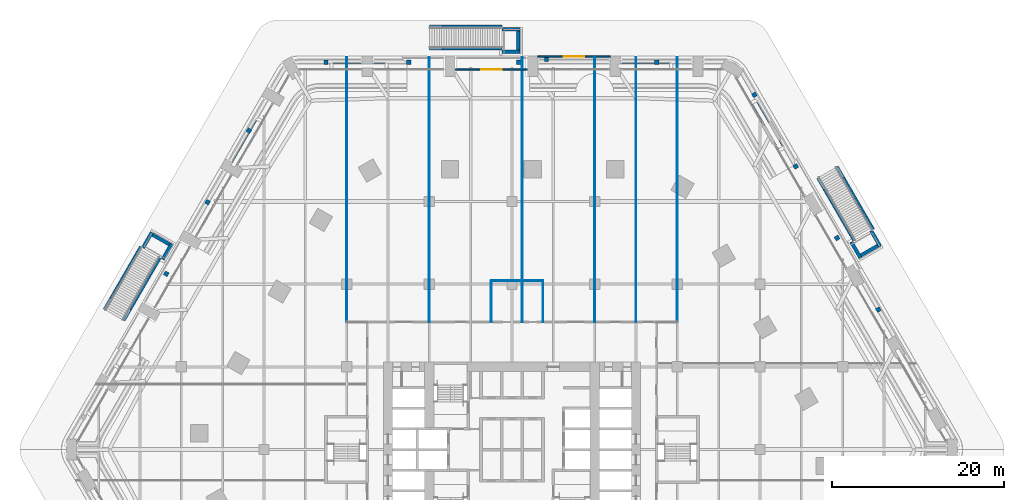
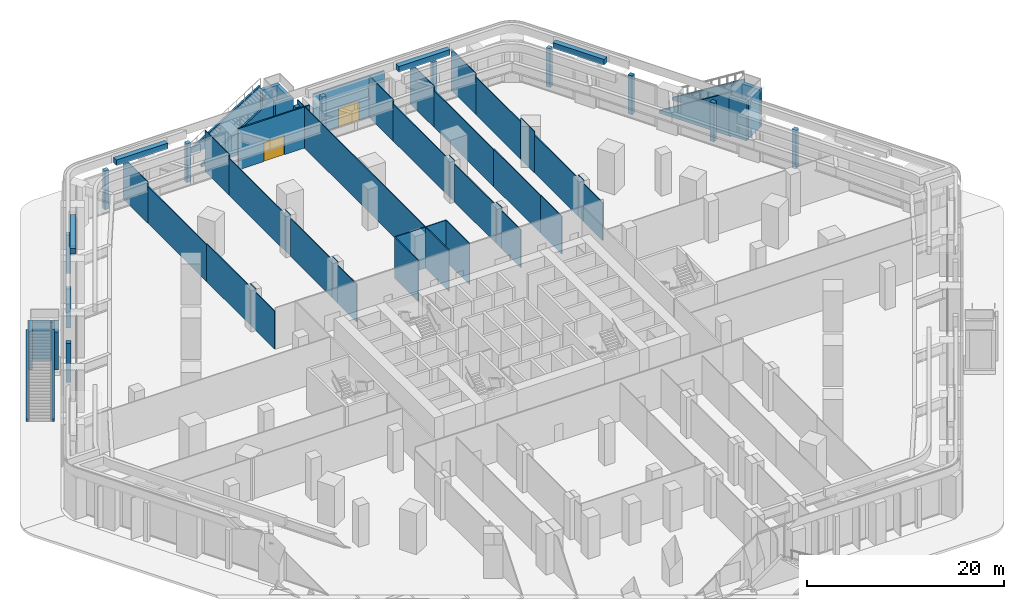
# One storey, part 23 of 34: 64 walls, 2 doors, 2 openings.
"""IFC4 building model written with IfcOpenShell, lengths in metres."""

from ifc_helpers import new_model, si_unit, direction, frame, frame_2d, origin, place, context, subcontext, project, spatial, polyline, rectangle, outline, extrude, material, layer, layer_set, type_object, element, fill, save


model = new_model("IFC4")

# Units and contexts
model_context = context("Model", 3, precision=1e-05, world=origin(), true_north=direction((0.0, 1.0)))
body_context = subcontext(model_context, "Body", "Model", "MODEL_VIEW")
ifc_project = project(units=[si_unit("LENGTHUNIT", "METRE"), si_unit("AREAUNIT", "SQUARE_METRE"), si_unit("VOLUMEUNIT", "CUBIC_METRE"), si_unit("PLANEANGLEUNIT", "RADIAN"), si_unit("MASSUNIT", "GRAM", prefix="KILO")], contexts=[model_context])

# Site, building, storey
site_placement = place(None, origin())
site = spatial("IfcSite", under=ifc_project, at=site_placement, CompositionType="ELEMENT")
building_placement = place(site_placement, origin())
building = spatial("IfcBuilding", under=site, at=building_placement, Name="Kolab Exchange Tower", CompositionType="ELEMENT")
storey_placement = place(building_placement, frame((0.0, 0.0, 7.0)))
storey = spatial("IfcBuildingStorey", under=building, at=storey_placement, Name="L01", CompositionType="ELEMENT", Elevation=7.0)

# Wall, opening, door
ifc_material_1 = material(Name="Aluminium EN AW-6063 T6", Category="aluminium")
ifc_layer_1 = layer(ifc_material_1, 0.159912109375)
ifc_layer_set_1 = layer_set([ifc_layer_1], Name="Aluminium EN AW-6063 T6")
wall_type_1 = type_object("IfcWallType", Name="DOOR SURROUND WALL 160 ALUMINIUM FRAMED", PredefinedType="PARTITIONING", material=ifc_layer_set_1)
wall_1_placement = place(storey_placement, frame((-6.597900390625, 44.146240234375, 0.0), z_axis=(0.0, 0.0, 1.0), x_axis=(1.0, 0.0, 0.0)))
wall_1 = element("IfcWall", 1, at=wall_1_placement, inside=storey, type_object=wall_type_1, Name="Door surround wall", PredefinedType="PARTITIONING", context=body_context, shape_type="SweptSolid", body=[
    extrude(rectangle(XDim=8.39599609375, YDim=0.159912109375, at=frame_2d((4.197998046875, 0.0))), origin(), (0.0, 0.0, 1.0), 5.10009765625),
])
opening_1_placement = place(wall_1_placement, frame((2.998046875, 0.0, 0.0)))
opening_1 = element("IfcOpeningElement", 2, at=opening_1_placement, cuts=wall_1, Name="Opening GD1-001", PredefinedType="OPENING", context=body_context, shape_type="SweptSolid", body=[
    extrude(rectangle(XDim=2.39990234375, YDim=2.39990234375, at=frame_2d((1.199951171875, 1.199951171875))), frame((0.0, 0.08984375, 0.0), z_axis=(0.0, -1.0, 0.0), x_axis=(1.0, 0.0, 0.0)), (0.0, 0.0, 1.0), 0.179931640625),
])
door_type = type_object("IfcDoorType", Name="LOGGIA SLIDING GLASS DOOR 2400 X 2400", OperationType="DOUBLE_DOOR_SINGLE_SWING", PredefinedType="DOOR", material=ifc_material_1)
door_1_placement = place(opening_1_placement, origin())
door_1 = element("IfcDoor", 3, at=door_1_placement, inside=storey, type_object=door_type, Name="Loggia door", OperationType="DOUBLE_DOOR_SLIDING", OverallHeight=2.39990234375, OverallWidth=2.39990234375, PredefinedType="DOOR", context=body_context, shape_type="SweptSolid", body=[
    extrude(rectangle(XDim=2.39990234375, YDim=2.39990234375, at=frame_2d((1.199951171875, 1.199951171875))), frame((0.0, 0.02490234375, 0.0), z_axis=(0.0, -1.0, 0.0), x_axis=(1.0, 0.0, 0.0)), (0.0, 0.0, 1.0), 0.050048828125),
])
fill(opening_1, door_1)

wall_2_placement = place(storey_placement, frame((3.00390625, 45.626220703125, 0.0), z_axis=(0.0, 0.0, 1.0), x_axis=(1.0, 0.0, 0.0)))
wall_2 = element("IfcWall", 4, at=wall_2_placement, inside=storey, type_object=wall_type_1, Name="Door surround wall", PredefinedType="PARTITIONING", context=body_context, shape_type="SweptSolid", body=[
    extrude(rectangle(XDim=8.39208984375, YDim=0.159912109375, at=frame_2d((4.196044921875, 0.0))), origin(), (0.0, 0.0, 1.0), 5.10009765625),
])
opening_2_placement = place(wall_2_placement, frame((2.99609375, 0.0, 0.0)))
opening_2 = element("IfcOpeningElement", 5, at=opening_2_placement, cuts=wall_2, Name="Opening GD1-003", PredefinedType="OPENING", context=body_context, shape_type="SweptSolid", body=[
    extrude(rectangle(XDim=2.39990234375, YDim=2.39990234375, at=frame_2d((1.199951171875, 1.199951171875))), frame((0.0, 0.08984375, 0.0), z_axis=(0.0, -1.0, 0.0), x_axis=(1.0, 0.0, 0.0)), (0.0, 0.0, 1.0), 0.179931640625),
])
door_2_placement = place(opening_2_placement, origin())
door_2 = element("IfcDoor", 6, at=door_2_placement, inside=storey, type_object=door_type, Name="Terrace door", OperationType="DOUBLE_DOOR_SLIDING", OverallHeight=2.39990234375, OverallWidth=2.39990234375, PredefinedType="DOOR", context=body_context, shape_type="SweptSolid", body=[
    extrude(rectangle(XDim=2.39990234375, YDim=2.39990234375, at=frame_2d((1.199951171875, 1.199951171875))), frame((0.0, 0.02490234375, 0.0), z_axis=(0.0, -1.0, 0.0), x_axis=(1.0, 0.0, 0.0)), (0.0, 0.0, 1.0), 0.050048828125),
])
fill(opening_2, door_2)

# Walls
ifc_material_2 = material(Name="Gypsum board", Category="gypsum")
ifc_layer_2 = layer(ifc_material_2, 0.10009765625)
ifc_layer_set_2 = layer_set([ifc_layer_2], Name="Gypsum board")
wall_type_2 = type_object("IfcWallType", Name="PARTITION 100", PredefinedType="PARTITIONING", material=ifc_layer_set_2)
wall_3_placement = place(storey_placement, frame((19.199951171875, 31.408447265625, 0.0), z_axis=(0.0, 0.0, 1.0), x_axis=(0.0, 1.0, 0.0)))
element("IfcWall", 7, at=wall_3_placement, inside=storey, type_object=wall_type_2, Name="Partition 001", PredefinedType="PARTITIONING", context=body_context, shape_type="SweptSolid", body=[
    extrude(rectangle(XDim=9.08984375, YDim=0.10009765625, at=frame_2d((4.544921875, 0.0))), origin(), (0.0, 0.0, 1.0), 4.64306640625),
])
wall_4_placement = place(storey_placement, frame((19.199951171875, 14.800048828125, 0.0), z_axis=(0.0, 0.0, 1.0), x_axis=(0.0, 1.0, 0.0)))
element("IfcWall", 8, at=wall_4_placement, inside=storey, type_object=wall_type_2, Name="Partition 001", PredefinedType="PARTITIONING", context=body_context, shape_type="SweptSolid", body=[
    extrude(rectangle(XDim=3.83984375, YDim=0.10009765625, at=frame_2d((1.919921875, 0.0))), origin(), (0.0, 0.0, 1.0), 4.693115234375),
])
wall_5_placement = place(storey_placement, frame((19.199951171875, 18.639892578125, 0.0), z_axis=(0.0, 0.0, 1.0), x_axis=(0.0, 1.0, 0.0)))
element("IfcWall", 9, at=wall_5_placement, inside=storey, type_object=wall_type_2, Name="Partition 001", PredefinedType="PARTITIONING", context=body_context, shape_type="SweptSolid", body=[
    extrude(rectangle(XDim=1.1201171875, YDim=0.10009765625, at=frame_2d((0.56005859375, 0.0))), origin(), (0.0, 0.0, 1.0), 5.10009765625),
])
wall_6_placement = place(storey_placement, frame((19.199951171875, 19.760009765625, 0.0), z_axis=(0.0, 0.0, 1.0), x_axis=(0.0, 1.0, 0.0)))
element("IfcWall", 10, at=wall_6_placement, inside=storey, type_object=wall_type_2, Name="Partition 001", PredefinedType="PARTITIONING", context=body_context, shape_type="SweptSolid", body=[
    extrude(rectangle(XDim=8.8798828125, YDim=0.10009765625, at=frame_2d((4.43994140625, 0.0))), origin(), (0.0, 0.0, 1.0), 4.693115234375),
])
wall_7_placement = place(storey_placement, frame((19.199951171875, 28.639892578125, 0.0), z_axis=(0.0, 0.0, 1.0), x_axis=(0.0, 1.0, 0.0)))
element("IfcWall", 11, at=wall_7_placement, inside=storey, type_object=wall_type_2, Name="Partition 001", PredefinedType="PARTITIONING", context=body_context, shape_type="SweptSolid", body=[
    extrude(rectangle(XDim=2.7685546875, YDim=0.10009765625, at=frame_2d((1.38427734375, 0.0))), origin(), (0.0, 0.0, 1.0), 5.10009765625),
])
wall_8_placement = place(storey_placement, frame((19.199951171875, 40.498291015625, 0.0), z_axis=(0.0, 0.0, 1.0), x_axis=(0.0, 1.0, 0.0)))
element("IfcWall", 12, at=wall_8_placement, inside=storey, type_object=wall_type_2, Name="Partition 001", PredefinedType="PARTITIONING", context=body_context, shape_type="SweptSolid", body=[
    extrude(rectangle(XDim=5.057861328125, YDim=0.10009765625, at=frame_2d((2.52880859375, 0.0))), origin(), (0.0, 0.0, 1.0), 5.10009765625),
])
wall_9_placement = place(storey_placement, frame((14.39990234375, 28.639892578125, 0.0), z_axis=(0.0, 0.0, 1.0), x_axis=(0.0, 1.0, 0.0)))
element("IfcWall", 13, at=wall_9_placement, inside=storey, type_object=wall_type_2, Name="Partition 005", PredefinedType="PARTITIONING", context=body_context, shape_type="SweptSolid", body=[
    extrude(rectangle(XDim=12.019287109375, YDim=0.10009765625, at=frame_2d((6.009765625, 0.0))), origin(), (0.0, 0.0, 1.0), 4.56689453125),
])
wall_10_placement = place(storey_placement, frame((14.39990234375, 14.800048828125, 0.0), z_axis=(0.0, 0.0, 1.0), x_axis=(0.0, 1.0, 0.0)))
element("IfcWall", 14, at=wall_10_placement, inside=storey, type_object=wall_type_2, Name="Partition 005", PredefinedType="PARTITIONING", context=body_context, shape_type="SweptSolid", body=[
    extrude(rectangle(XDim=4.325927734375, YDim=0.10009765625, at=frame_2d((2.1630859375, 0.0))), origin(), (0.0, 0.0, 1.0), 4.693115234375),
])
wall_11_placement = place(storey_placement, frame((14.39990234375, 19.1259765625, 0.0), z_axis=(0.0, 0.0, 1.0), x_axis=(0.0, 1.0, 0.0)))
element("IfcWall", 15, at=wall_11_placement, inside=storey, type_object=wall_type_2, Name="Partition 005", PredefinedType="PARTITIONING", context=body_context, shape_type="SweptSolid", body=[
    extrude(rectangle(XDim=9.513916015625, YDim=0.10009765625, at=frame_2d((4.7568359375, 0.0))), origin(), (0.0, 0.0, 1.0), 4.64306640625),
])
wall_12_placement = place(storey_placement, frame((14.39990234375, 40.6591796875, 0.0), z_axis=(0.0, 0.0, 1.0), x_axis=(0.0, 1.0, 0.0)))
element("IfcWall", 16, at=wall_12_placement, inside=storey, type_object=wall_type_2, Name="Partition 005", PredefinedType="PARTITIONING", context=body_context, shape_type="SweptSolid", body=[
    extrude(rectangle(XDim=4.89697265625, YDim=0.10009765625, at=frame_2d((2.448486328125, 0.0))), origin(), (0.0, 0.0, 1.0), 5.10009765625),
])
wall_13_placement = place(storey_placement, frame((9.60009765625, 29.360107421875, 0.0), z_axis=(0.0, 0.0, 1.0), x_axis=(0.0, 1.0, 0.0)))
element("IfcWall", 17, at=wall_13_placement, inside=storey, type_object=wall_type_2, Name="Partition 009", PredefinedType="PARTITIONING", context=body_context, shape_type="SweptSolid", body=[
    extrude(rectangle(XDim=11.299072265625, YDim=0.10009765625, at=frame_2d((5.6494140625, 0.0))), origin(), (0.0, 0.0, 1.0), 4.56689453125),
])
wall_14_placement = place(storey_placement, frame((9.60009765625, 14.800048828125, 0.0), z_axis=(0.0, 0.0, 1.0), x_axis=(0.0, 1.0, 0.0)))
element("IfcWall", 18, at=wall_14_placement, inside=storey, type_object=wall_type_2, Name="Partition 009", PredefinedType="PARTITIONING", context=body_context, shape_type="SweptSolid", body=[
    extrude(rectangle(XDim=3.83984375, YDim=0.10009765625, at=frame_2d((1.919921875, 0.0))), origin(), (0.0, 0.0, 1.0), 4.693115234375),
])
wall_15_placement = place(storey_placement, frame((9.60009765625, 18.639892578125, 0.0), z_axis=(0.0, 0.0, 1.0), x_axis=(0.0, 1.0, 0.0)))
element("IfcWall", 19, at=wall_15_placement, inside=storey, type_object=wall_type_2, Name="Partition 009", PredefinedType="PARTITIONING", context=body_context, shape_type="SweptSolid", body=[
    extrude(rectangle(XDim=1.1201171875, YDim=0.10009765625, at=frame_2d((0.56005859375, 0.0))), origin(), (0.0, 0.0, 1.0), 5.10009765625),
])
wall_16_placement = place(storey_placement, frame((9.60009765625, 19.760009765625, 0.0), z_axis=(0.0, 0.0, 1.0), x_axis=(0.0, 1.0, 0.0)))
element("IfcWall", 20, at=wall_16_placement, inside=storey, type_object=wall_type_2, Name="Partition 009", PredefinedType="PARTITIONING", context=body_context, shape_type="SweptSolid", body=[
    extrude(rectangle(XDim=8.47998046875, YDim=0.10009765625, at=frame_2d((4.239990234375, 0.0))), origin(), (0.0, 0.0, 1.0), 4.693115234375),
])
wall_17_placement = place(storey_placement, frame((9.60009765625, 28.239990234375, 0.0), z_axis=(0.0, 0.0, 1.0), x_axis=(0.0, 1.0, 0.0)))
element("IfcWall", 21, at=wall_17_placement, inside=storey, type_object=wall_type_2, Name="Partition 009", PredefinedType="PARTITIONING", context=body_context, shape_type="SweptSolid", body=[
    extrude(rectangle(XDim=1.1201171875, YDim=0.10009765625, at=frame_2d((0.56005859375, 0.0))), origin(), (0.0, 0.0, 1.0), 5.10009765625),
])
wall_18_placement = place(storey_placement, frame((9.60009765625, 40.6591796875, 0.0), z_axis=(0.0, 0.0, 1.0), x_axis=(0.0, 1.0, 0.0)))
element("IfcWall", 22, at=wall_18_placement, inside=storey, type_object=wall_type_2, Name="Partition 009", PredefinedType="PARTITIONING", context=body_context, shape_type="SweptSolid", body=[
    extrude(rectangle(XDim=4.89697265625, YDim=0.10009765625, at=frame_2d((2.448486328125, 0.0))), origin(), (0.0, 0.0, 1.0), 5.10009765625),
])
wall_19_placement = place(storey_placement, frame((3.60009765625, 14.800048828125, 0.0), z_axis=(0.0, 0.0, 1.0), x_axis=(0.0, 1.0, 0.0)))
element("IfcWall", 23, at=wall_19_placement, inside=storey, type_object=wall_type_2, Name="Partition 011", PredefinedType="PARTITIONING", context=body_context, shape_type="SweptSolid", body=[
    extrude(rectangle(XDim=4.800048828125, YDim=0.10009765625, at=frame_2d((2.39990234375, 0.0))), origin(), (0.0, 0.0, 1.0), 5.10009765625),
])
wall_20_placement = place(storey_placement, frame((1.199951171875, 14.800048828125, 0.0), z_axis=(0.0, 0.0, 1.0), x_axis=(0.0, 1.0, 0.0)))
element("IfcWall", 24, at=wall_20_placement, inside=storey, type_object=wall_type_2, Name="Partition 012", PredefinedType="PARTITIONING", context=body_context, shape_type="SweptSolid", body=[
    extrude(rectangle(XDim=30.756103515625, YDim=0.10009765625, at=frame_2d((15.3779296875, 0.0))), origin(), (0.0, 0.0, 1.0), 5.10009765625),
])
wall_21_placement = place(storey_placement, frame((-2.39990234375, 14.800048828125, 0.0), z_axis=(0.0, 0.0, 1.0), x_axis=(0.0, 1.0, 0.0)))
element("IfcWall", 25, at=wall_21_placement, inside=storey, type_object=wall_type_2, Name="Partition 013", PredefinedType="PARTITIONING", context=body_context, shape_type="SweptSolid", body=[
    extrude(rectangle(XDim=4.800048828125, YDim=0.10009765625, at=frame_2d((2.39990234375, 0.0))), origin(), (0.0, 0.0, 1.0), 5.10009765625),
])
wall_22_placement = place(storey_placement, frame((-9.60009765625, 29.360107421875, 0.0), z_axis=(0.0, 0.0, 1.0), x_axis=(0.0, 1.0, 0.0)))
element("IfcWall", 26, at=wall_22_placement, inside=storey, type_object=wall_type_2, Name="Partition 017", PredefinedType="PARTITIONING", context=body_context, shape_type="SweptSolid", body=[
    extrude(rectangle(XDim=11.299072265625, YDim=0.10009765625, at=frame_2d((5.6494140625, 0.0))), origin(), (0.0, 0.0, 1.0), 4.56689453125),
])
wall_23_placement = place(storey_placement, frame((-9.60009765625, 14.800048828125, 0.0), z_axis=(0.0, 0.0, 1.0), x_axis=(0.0, 1.0, 0.0)))
element("IfcWall", 27, at=wall_23_placement, inside=storey, type_object=wall_type_2, Name="Partition 017", PredefinedType="PARTITIONING", context=body_context, shape_type="SweptSolid", body=[
    extrude(rectangle(XDim=3.83984375, YDim=0.10009765625, at=frame_2d((1.919921875, 0.0))), origin(), (0.0, 0.0, 1.0), 4.693115234375),
])
wall_24_placement = place(storey_placement, frame((-9.60009765625, 18.639892578125, 0.0), z_axis=(0.0, 0.0, 1.0), x_axis=(0.0, 1.0, 0.0)))
element("IfcWall", 28, at=wall_24_placement, inside=storey, type_object=wall_type_2, Name="Partition 017", PredefinedType="PARTITIONING", context=body_context, shape_type="SweptSolid", body=[
    extrude(rectangle(XDim=1.1201171875, YDim=0.10009765625, at=frame_2d((0.56005859375, 0.0))), origin(), (0.0, 0.0, 1.0), 5.10009765625),
])
wall_25_placement = place(storey_placement, frame((-9.60009765625, 19.760009765625, 0.0), z_axis=(0.0, 0.0, 1.0), x_axis=(0.0, 1.0, 0.0)))
element("IfcWall", 29, at=wall_25_placement, inside=storey, type_object=wall_type_2, Name="Partition 017", PredefinedType="PARTITIONING", context=body_context, shape_type="SweptSolid", body=[
    extrude(rectangle(XDim=8.47998046875, YDim=0.10009765625, at=frame_2d((4.239990234375, 0.0))), origin(), (0.0, 0.0, 1.0), 4.693115234375),
])
wall_26_placement = place(storey_placement, frame((-9.60009765625, 28.239990234375, 0.0), z_axis=(0.0, 0.0, 1.0), x_axis=(0.0, 1.0, 0.0)))
element("IfcWall", 30, at=wall_26_placement, inside=storey, type_object=wall_type_2, Name="Partition 017", PredefinedType="PARTITIONING", context=body_context, shape_type="SweptSolid", body=[
    extrude(rectangle(XDim=1.1201171875, YDim=0.10009765625, at=frame_2d((0.56005859375, 0.0))), origin(), (0.0, 0.0, 1.0), 5.10009765625),
])
wall_27_placement = place(storey_placement, frame((-9.60009765625, 40.6591796875, 0.0), z_axis=(0.0, 0.0, 1.0), x_axis=(0.0, 1.0, 0.0)))
element("IfcWall", 31, at=wall_27_placement, inside=storey, type_object=wall_type_2, Name="Partition 017", PredefinedType="PARTITIONING", context=body_context, shape_type="SweptSolid", body=[
    extrude(rectangle(XDim=4.89697265625, YDim=0.10009765625, at=frame_2d((2.448486328125, 0.0))), origin(), (0.0, 0.0, 1.0), 5.10009765625),
])
wall_28_placement = place(storey_placement, frame((-19.199951171875, 28.639892578125, 0.0), z_axis=(0.0, 0.0, 1.0), x_axis=(0.0, 1.0, 0.0)))
element("IfcWall", 32, at=wall_28_placement, inside=storey, type_object=wall_type_2, Name="Partition 023", PredefinedType="PARTITIONING", context=body_context, shape_type="SweptSolid", body=[
    extrude(rectangle(XDim=11.8583984375, YDim=0.10009765625, at=frame_2d((5.92919921875, 0.0))), origin(), (0.0, 0.0, 1.0), 4.56689453125),
])
wall_29_placement = place(storey_placement, frame((-19.199951171875, 14.800048828125, 0.0), z_axis=(0.0, 0.0, 1.0), x_axis=(0.0, 1.0, 0.0)))
element("IfcWall", 33, at=wall_29_placement, inside=storey, type_object=wall_type_2, Name="Partition 023", PredefinedType="PARTITIONING", context=body_context, shape_type="SweptSolid", body=[
    extrude(rectangle(XDim=3.83984375, YDim=0.10009765625, at=frame_2d((1.919921875, 0.0))), origin(), (0.0, 0.0, 1.0), 4.693115234375),
])
wall_30_placement = place(storey_placement, frame((-19.199951171875, 18.639892578125, 0.0), z_axis=(0.0, 0.0, 1.0), x_axis=(0.0, 1.0, 0.0)))
element("IfcWall", 34, at=wall_30_placement, inside=storey, type_object=wall_type_2, Name="Partition 023", PredefinedType="PARTITIONING", context=body_context, shape_type="SweptSolid", body=[
    extrude(rectangle(XDim=1.1201171875, YDim=0.10009765625, at=frame_2d((0.56005859375, 0.0))), origin(), (0.0, 0.0, 1.0), 5.10009765625),
])
wall_31_placement = place(storey_placement, frame((-19.199951171875, 19.760009765625, 0.0), z_axis=(0.0, 0.0, 1.0), x_axis=(0.0, 1.0, 0.0)))
element("IfcWall", 35, at=wall_31_placement, inside=storey, type_object=wall_type_2, Name="Partition 023", PredefinedType="PARTITIONING", context=body_context, shape_type="SweptSolid", body=[
    extrude(rectangle(XDim=8.8798828125, YDim=0.10009765625, at=frame_2d((4.43994140625, 0.0))), origin(), (0.0, 0.0, 1.0), 4.693115234375),
])
wall_32_placement = place(storey_placement, frame((-19.199951171875, 40.498291015625, 0.0), z_axis=(0.0, 0.0, 1.0), x_axis=(0.0, 1.0, 0.0)))
element("IfcWall", 36, at=wall_32_placement, inside=storey, type_object=wall_type_2, Name="Partition 023", PredefinedType="PARTITIONING", context=body_context, shape_type="SweptSolid", body=[
    extrude(rectangle(XDim=5.057861328125, YDim=0.10009765625, at=frame_2d((2.52880859375, 0.0))), origin(), (0.0, 0.0, 1.0), 5.10009765625),
])
wall_33_placement = place(storey_placement, frame((-2.39990234375, 19.60009765625, 0.0), z_axis=(0.0, 0.0, 1.0), x_axis=(1.0, 0.0, 0.0)))
element("IfcWall", 37, at=wall_33_placement, inside=storey, type_object=wall_type_2, Name="Partition 039", PredefinedType="PARTITIONING", context=body_context, shape_type="SweptSolid", body=[
    extrude(rectangle(XDim=6.0, YDim=0.10009765625, at=frame_2d((3.0, 0.0))), origin(), (0.0, 0.0, 1.0), 5.10009765625),
])
ifc_material_3 = material(Name="Granite facing", Category="masonry")
ifc_layer_3 = layer(ifc_material_3, 0.0400390625)
ifc_material_4 = material(Name="Concrete C40/50 precast", Category="concrete")
ifc_layer_4 = layer(ifc_material_4, 0.56005859375)
ifc_layer_set_3 = layer_set([ifc_layer_3, ifc_layer_4], Name="Concrete C40/50 precast")
wall_type_3 = type_object("IfcWallType", Name="PLANTER BOX 600 X 700 SOIL DEPTH 550", PredefinedType="USERDEFINED", material=ifc_layer_set_3)
for number, where, z_axis, x_axis, name in (
    (38, (12.294189453125, 44.526123046875, 5.39990234375), (0.0, 0.0, 1.0), (1.0, 0.0, 0.0), "Planter"),
    (39, (-20.760986328125, 44.526123046875, 5.39990234375), (0.0, 0.0, 1.0), (1.0, 0.0, 0.0), "Planter"),
    (40, (28.180419921875, 40.24267578125, 5.39990234375), (0.0, 0.0, 1.0), (0.499990139034, -0.866031096941, 0.0), "Planter"),
    (41, (-32.413818359375, 32.91015625, 5.39990234375), (0.0, 0.0, 1.0), (0.500007758305, 0.866020924479, 0.0), "Planter"),
):
    element("IfcWall", number, at=place(storey_placement, frame(where, z_axis=z_axis, x_axis=x_axis)), inside=storey, type_object=wall_type_3, Name=name, ObjectType="PLANTER", PredefinedType="USERDEFINED", context=body_context, shape_type="SweptSolid", body=[
        extrude(rectangle(XDim=6.0, YDim=0.60009765625, at=frame_2d((3.0, 0.0))), origin(), (0.0, 0.0, 1.0), 0.7001953125),
    ])
ifc_layer_5 = layer(ifc_material_3, 0.0400390625)
ifc_material_5 = material(Name="Concrete C40/50", Category="concrete")
ifc_layer_6 = layer(ifc_material_5, 0.2099609375)
ifc_layer_set_4 = layer_set([ifc_layer_5, ifc_layer_6], Name="Concrete C40/50")
wall_type_4 = type_object("IfcWallType", Name="STAIR CHEEK WALL 250", PredefinedType="SOLIDWALL", material=ifc_layer_set_4)
for number, where, z_axis, x_axis, name in (
    (42, (-9.56005859375, 49.151123046875, 0.0), (0.0, 0.0, 1.0), (1.0, 0.0, 0.0), "Stair cheek wall"),
    (43, (-9.56005859375, 46.501220703125, 0.0), (0.0, 0.0, 1.0), (1.0, 0.0, 0.0), "Stair cheek wall"),
):
    element("IfcWall", number, at=place(storey_placement, frame(where, z_axis=z_axis, x_axis=x_axis)), inside=storey, type_object=wall_type_4, Name=name, PredefinedType="SOLIDWALL", context=body_context, shape_type="SweptSolid", body=[
        extrude(outline(polyline([(0.0, 0.0), (8.400146484375, 0.0), (8.39990234375, 5.5), (0.0, 0.274169921875), (0.0, 0.0)])), frame((0.0, 0.125, 0.0), z_axis=(0.0, -1.0, 0.0), x_axis=(1.0, 0.0, 0.0)), (0.0, 0.0, 1.0), 0.25),
    ])
for number, where, z_axis, x_axis, name in (
    (44, (37.7861328125, 32.854736328125, 0.0), (0.0, 0.0, 1.0), (0.499993330357, -0.86602925447, 0.0), "Stair cheek wall"),
    (45, (35.4912109375, 31.52978515625, 0.0), (0.0, 0.0, 1.0), (0.499993330357, -0.86602925447, 0.0), "Stair cheek wall"),
    (46, (-47.34619140625, 16.29638671875, 0.0), (0.0, 0.0, 1.0), (0.499993330357, 0.86602925447, 0.0), "Stair cheek wall"),
):
    element("IfcWall", number, at=place(storey_placement, frame(where, z_axis=z_axis, x_axis=x_axis)), inside=storey, type_object=wall_type_4, Name=name, PredefinedType="SOLIDWALL", context=body_context, shape_type="SweptSolid", body=[
        extrude(outline(polyline([(0.0, 0.0), (8.39990234375, 0.0), (8.39990234375, 5.5), (0.0, 0.274169921875), (0.0, 0.0)])), frame((0.0, 0.125, 0.0), z_axis=(0.0, -1.0, 0.0), x_axis=(1.0, 0.0, 0.0)), (0.0, 0.0, 1.0), 0.25),
    ])
wall_34_placement = place(storey_placement, frame((-45.05126953125, 14.971435546875, 0.0), z_axis=(0.0, 0.0, 1.0), x_axis=(0.500015128309, 0.866016669275, 0.0)))
element("IfcWall", 47, at=wall_34_placement, inside=storey, type_object=wall_type_4, Name="Stair cheek wall", PredefinedType="SOLIDWALL", context=body_context, shape_type="SweptSolid", body=[
    extrude(outline(polyline([(0.0, 0.0), (8.400146484375, 0.0), (8.39990234375, 5.5), (0.0, 0.274169921875), (0.0, 0.0)])), frame((0.0, 0.125, 0.0), z_axis=(0.0, -1.0, 0.0), x_axis=(1.0, 0.0, 0.0)), (0.0, 0.0, 1.0), 0.25),
])
ifc_layer_7 = layer(ifc_material_5, 0.39990234375)
ifc_layer_set_5 = layer_set([ifc_layer_7], Name="Concrete C40/50")
wall_type_5 = type_object("IfcWallType", Name="STAIR LANDING SUPPORT PIER 2100 X 400", PredefinedType="SOLIDWALL", material=ifc_layer_set_5)
for number, where, z_axis, x_axis, name in (
    (48, (-1.159912109375, 48.826171875, 0.449951171875), (0.0, 0.0, 1.0), (1.0, 0.0, 0.0), "Stair landing support pier"),
    (49, (-1.159912109375, 46.176025390625, 0.449951171875), (0.0, 0.0, 1.0), (1.0, 0.0, 0.0), "Stair landing support pier"),
):
    element("IfcWall", number, at=place(storey_placement, frame(where, z_axis=z_axis, x_axis=x_axis)), inside=storey, type_object=wall_type_5, Name=name, PredefinedType="SOLIDWALL", context=body_context, shape_type="SweptSolid", body=[
        extrude(rectangle(XDim=2.099853515625, YDim=0.39990234375, at=frame_2d((1.0498046875, 0.0))), origin(), (0.0, 0.0, 1.0), 4.75),
    ])
wall_35_placement = place(storey_placement, frame((0.739990234375, 46.376220703125, 0.449951171875), z_axis=(0.0, 0.0, 1.0), x_axis=(0.0, 1.0, 0.0)))
element("IfcWall", 50, at=wall_35_placement, inside=storey, type_object=wall_type_5, Name="Stair landing support pier", PredefinedType="SOLIDWALL", context=body_context, shape_type="SweptSolid", body=[
    extrude(rectangle(XDim=2.25, YDim=0.39990234375, at=frame_2d((1.125, 0.0))), origin(), (0.0, 0.0, 1.0), 4.75),
])
for number, where, z_axis, x_axis, name in (
    (51, (41.70458984375, 25.417724609375, 0.449951171875), (0.0, 0.0, 1.0), (0.500027713859, -0.866009402589, 0.0), "Stair landing support pier"),
    (52, (39.40966796875, 24.0927734375, 0.449951171875), (0.0, 0.0, 1.0), (0.499977374825, -0.866038466041, 0.0), "Stair landing support pier"),
):
    element("IfcWall", number, at=place(storey_placement, frame(where, z_axis=z_axis, x_axis=x_axis)), inside=storey, type_object=wall_type_5, Name=name, PredefinedType="SOLIDWALL", context=body_context, shape_type="SweptSolid", body=[
        extrude(rectangle(XDim=2.10009765625, YDim=0.39990234375, at=frame_2d((1.050048828125, 0.0))), origin(), (0.0, 0.0, 1.0), 4.75),
    ])
wall_36_placement = place(storey_placement, frame((40.532958984375, 22.547119140625, 0.449951171875), z_axis=(0.0, 0.0, 1.0), x_axis=(0.866017533419, 0.500013631625, 0.0)))
element("IfcWall", 53, at=wall_36_placement, inside=storey, type_object=wall_type_5, Name="Stair landing support pier", PredefinedType="SOLIDWALL", context=body_context, shape_type="SweptSolid", body=[
    extrude(rectangle(XDim=2.25, YDim=0.39990234375, at=frame_2d((1.125, 0.0))), origin(), (0.0, 0.0, 1.0), 4.75),
])
for number, where, z_axis, x_axis, name in (
    (54, (-42.86474609375, 23.408447265625, 0.449951171875), (0.0, 0.0, 1.0), (0.500027713859, 0.866009402589, 0.0), "Stair landing support pier"),
    (55, (-40.56982421875, 22.08349609375, 0.449951171875), (0.0, 0.0, 1.0), (0.500027713859, 0.866009402589, 0.0), "Stair landing support pier"),
):
    element("IfcWall", number, at=place(storey_placement, frame(where, z_axis=z_axis, x_axis=x_axis)), inside=storey, type_object=wall_type_5, Name=name, PredefinedType="SOLIDWALL", context=body_context, shape_type="SweptSolid", body=[
        extrude(rectangle(XDim=2.10009765625, YDim=0.39990234375, at=frame_2d((1.050048828125, 0.0))), origin(), (0.0, 0.0, 1.0), 4.75),
    ])
wall_37_placement = place(storey_placement, frame((-39.79296875, 23.828857421875, 0.449951171875), z_axis=(0.0, 0.0, 1.0), x_axis=(-0.866017533419, 0.500013631625, 0.0)))
element("IfcWall", 56, at=wall_37_placement, inside=storey, type_object=wall_type_5, Name="Stair landing support pier", PredefinedType="SOLIDWALL", context=body_context, shape_type="SweptSolid", body=[
    extrude(rectangle(XDim=2.25, YDim=0.39990234375, at=frame_2d((1.125, 0.0))), origin(), (0.0, 0.0, 1.0), 4.75),
])
ifc_layer_8 = layer(ifc_material_3, 0.5)
ifc_layer_set_6 = layer_set([ifc_layer_8], Name="Granite facing")
wall_type_6 = type_object("IfcWallType", Name="STONE FACADE FIN 500 X 500", PredefinedType="SOLIDWALL", material=ifc_layer_set_6)
for number, where, z_axis, x_axis, name in (
    (57, (-21.85009765625, 44.97607421875, 0.0), (0.0, 0.0, 1.0), (1.0, 0.0, 0.0), "Stone facade fin"),
    (58, (-12.25, 44.97607421875, 0.0), (0.0, 0.0, 1.0), (1.0, 0.0, 0.0), "Stone facade fin"),
    (59, (0.550048828125, 44.97607421875, 0.0), (0.0, 0.0, 1.0), (1.0, 0.0, 0.0), "Stone facade fin"),
    (60, (3.75, 45.296142578125, 0.0), (0.0, 0.0, 1.0), (1.0, 0.0, 0.0), "Stone facade fin"),
    (61, (16.550048828125, 44.97607421875, 0.0), (0.0, 0.0, 1.0), (1.0, 0.0, 0.0), "Stone facade fin"),
):
    element("IfcWall", number, at=place(storey_placement, frame(where, z_axis=z_axis, x_axis=x_axis)), inside=storey, type_object=wall_type_6, Name=name, PredefinedType="SOLIDWALL", context=body_context, shape_type="SweptSolid", body=[
        extrude(rectangle(XDim=0.5, YDim=0.5, at=frame_2d((0.25, 0.0))), origin(), (0.0, 0.0, 1.0), 4.800048828125),
    ])
for number, where, z_axis, x_axis, name in (
    (62, (28.02490234375, 41.410400390625, 0.0), (0.0, 0.0, 1.0), (0.500131122175, -0.865949687125, 0.0), "Stone facade fin"),
    (63, (32.824951171875, 33.096435546875, 0.0), (0.0, 0.0, 1.0), (0.500131122175, -0.865949687125, 0.0), "Stone facade fin"),
    (64, (37.625, 24.783447265625, 0.0), (0.0, 0.0, 1.0), (0.500131122175, -0.865949687125, 0.0), "Stone facade fin"),
):
    element("IfcWall", number, at=place(storey_placement, frame(where, z_axis=z_axis, x_axis=x_axis)), inside=storey, type_object=wall_type_6, Name=name, PredefinedType="SOLIDWALL", context=body_context, shape_type="SweptSolid", body=[
        extrude(rectangle(XDim=0.499755859375, YDim=0.5, at=frame_2d((0.25, 0.0))), origin(), (0.0, 0.0, 1.0), 4.800048828125),
    ])
wall_38_placement = place(storey_placement, frame((42.425048828125, 16.469482421875, 0.0), z_axis=(0.0, 0.0, 1.0), x_axis=(0.499919672301, -0.866071776036, 0.0)))
element("IfcWall", 65, at=wall_38_placement, inside=storey, type_object=wall_type_6, Name="Stone facade fin", PredefinedType="SOLIDWALL", context=body_context, shape_type="SweptSolid", body=[
    extrude(rectangle(XDim=0.5, YDim=0.5, at=frame_2d((0.25, 0.0))), origin(), (0.0, 0.0, 1.0), 4.800048828125),
])
for number, where, z_axis, x_axis, name in (
    (66, (-40.27490234375, 20.193603515625, 0.0), (0.0, 0.0, 1.0), (0.500131122175, 0.865949687125, 0.0), "Stone facade fin"),
    (67, (-35.47509765625, 28.506591796875, 0.0), (0.0, 0.0, 1.0), (0.500131122175, 0.865949687125, 0.0), "Stone facade fin"),
    (68, (-30.675048828125, 36.820556640625, 0.0), (0.0, 0.0, 1.0), (0.500131122175, 0.865949687125, 0.0), "Stone facade fin"),
):
    element("IfcWall", number, at=place(storey_placement, frame(where, z_axis=z_axis, x_axis=x_axis)), inside=storey, type_object=wall_type_6, Name=name, PredefinedType="SOLIDWALL", context=body_context, shape_type="SweptSolid", body=[
        extrude(rectangle(XDim=0.499755859375, YDim=0.5, at=frame_2d((0.25, 0.0))), origin(), (0.0, 0.0, 1.0), 4.800048828125),
    ])

save(model, "model.ifc")
